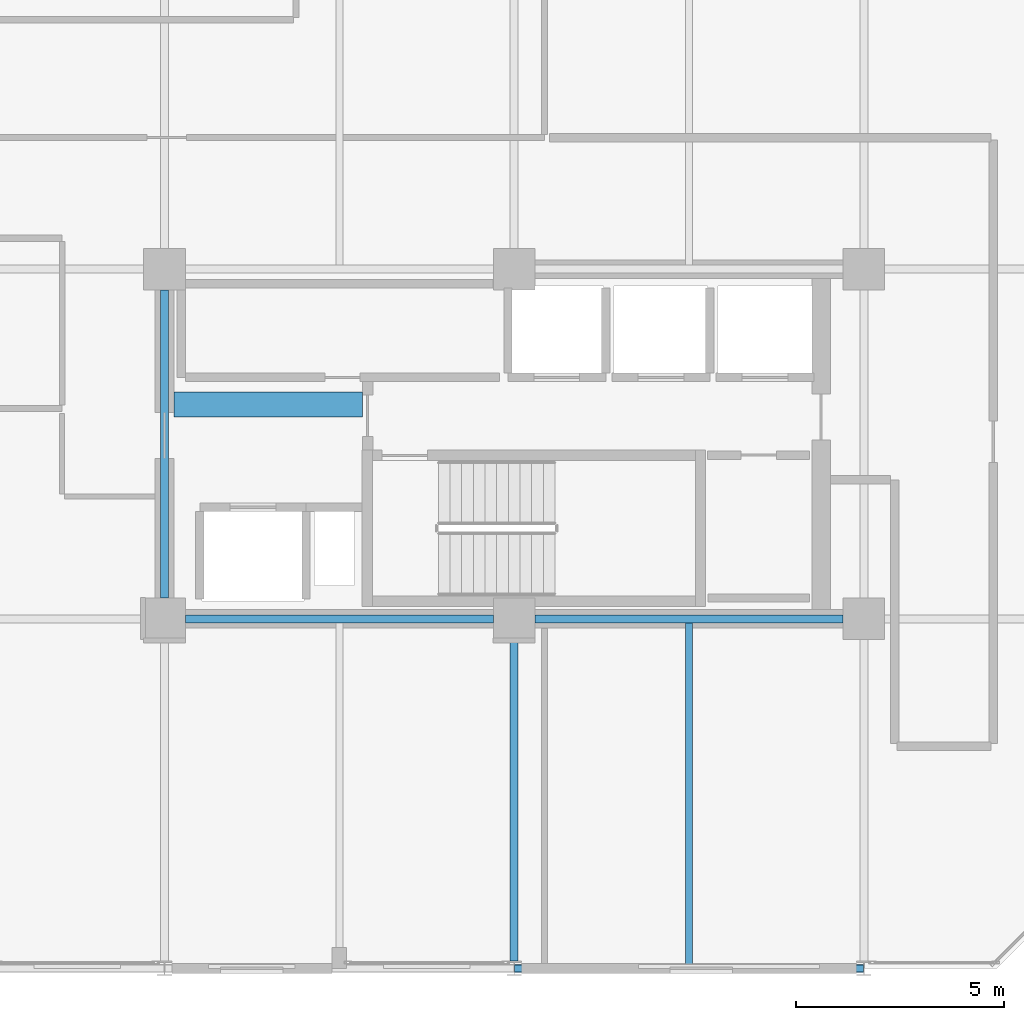
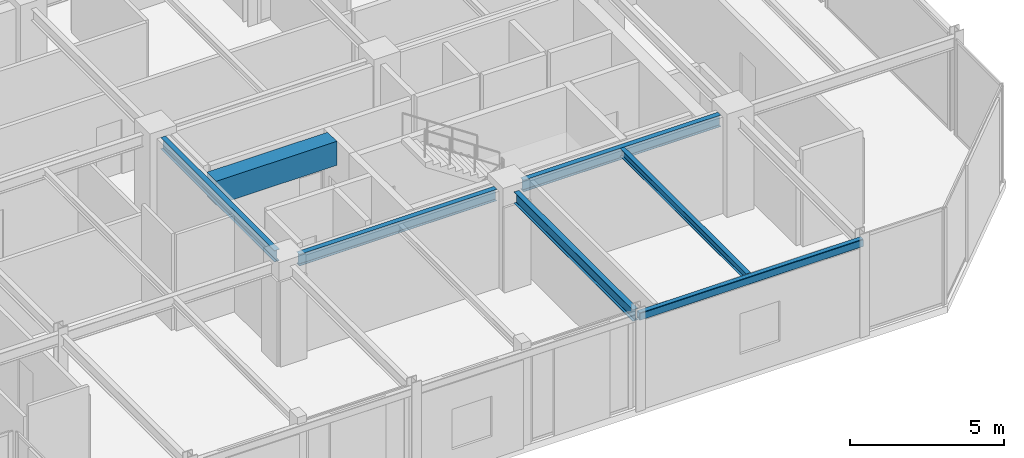
# One storey, part 7 of 25: 7 beams.
"""IFC4 building model written with IfcOpenShell, lengths in metres."""

from ifc_helpers import new_model, si_unit, direction, frame, origin, origin_2d, place, context, subcontext, project, spatial, rectangle, hollow_rectangle, i_section, extrude, material, material_profile, profile_set, type_object, element, save


model = new_model("IFC4")

# Units and contexts
model_context = context("Model", 3, precision=1e-05, world=origin(), true_north=direction((0.0, 1.0)))
body_context = subcontext(model_context, "Body", "Model", "MODEL_VIEW")
ifc_project = project(units=[si_unit("LENGTHUNIT", "METRE"), si_unit("AREAUNIT", "SQUARE_METRE"), si_unit("VOLUMEUNIT", "CUBIC_METRE"), si_unit("PLANEANGLEUNIT", "RADIAN"), si_unit("MASSUNIT", "GRAM", prefix="KILO")], contexts=[model_context])

# Site, building, storey
site_placement = place(None, origin())
site = spatial("IfcSite", under=ifc_project, at=site_placement, CompositionType="ELEMENT")
building_placement = place(site_placement, origin())
building = spatial("IfcBuilding", under=site, at=building_placement, Name="Nerrivon Quay Data Exchange", CompositionType="ELEMENT")
storey_placement = place(building_placement, frame((0.0, 0.0, 237.0)))
storey = spatial("IfcBuildingStorey", under=building, at=storey_placement, Name="L56", CompositionType="ELEMENT", Elevation=237.0)

# Beams
ifc_material_1 = material(Name="Concrete N50 (50 MPa)", Category="concrete")
ifc_material_profile_1 = material_profile(ifc_material_1, rectangle(XDim=0.60009765625, YDim=0.949951171875, at=origin_2d()), Name="RC-CB-600x950")
ifc_profile_set_1 = profile_set([ifc_material_profile_1], Name="Concrete N50 (50 MPa)")
beam_type_1 = type_object("IfcBeamType", Name="BM-CB2-600x950", PredefinedType="LINTEL", material=ifc_profile_set_1)
beam_1_placement = place(storey_placement, frame((17.02490234375, 13.550048828125, 3.35009765625), z_axis=(1.0, 0.0, 0.0), x_axis=(0.0, 1.0, 0.0)))
element("IfcBeam", 1, at=beam_1_placement, inside=storey, type_object=beam_type_1, Name="L56 East Core Coupling Beam", PredefinedType="LINTEL", context=body_context, shape_type="SweptSolid", body=[
    extrude(rectangle(XDim=0.60009765625, YDim=0.949951171875, at=origin_2d()), origin(), (0.0, 0.0, 1.0), 4.530029296875),
])
ifc_material_2 = material(Name="Steel Grade 350", Category="steel")
ifc_material_profile_2 = material_profile(ifc_material_2, i_section(OverallWidth=0.19091796875, OverallDepth=0.4599609375, WebThickness=0.010009765625, FlangeThickness=0.01611328125, FilletRadius=0.011474609375, at=origin_2d()), Name="460UB82.1")
ifc_profile_set_2 = profile_set([ifc_material_profile_2], Name="Steel Grade 350")
beam_type_2 = type_object("IfcBeamType", Name="BM-G5-460UB82", PredefinedType="BEAM", material=ifc_profile_set_2)
beam_2_placement = place(storey_placement, frame((17.300048828125, 8.39990234375, 3.594970703125), z_axis=(1.0, 0.0, 0.0), x_axis=(0.0, 1.0, 0.0)))
element("IfcBeam", 2, at=beam_2_placement, inside=storey, type_object=beam_type_2, Name="L56 EW Girder Y=8.4 (16.8..25.2)", PredefinedType="BEAM", context=body_context, shape_type="SweptSolid", body=[
    extrude(i_section(OverallWidth=0.19091796875, OverallDepth=0.4599609375, WebThickness=0.010009765625, FlangeThickness=0.01611328125, FilletRadius=0.011474609375, at=origin_2d()), origin(), (0.0, 0.0, 1.0), 7.39990234375),
])
beam_3_placement = place(storey_placement, frame((25.699951171875, 8.39990234375, 3.594970703125), z_axis=(1.0, 0.0, 0.0), x_axis=(0.0, 1.0, 0.0)))
element("IfcBeam", 3, at=beam_3_placement, inside=storey, type_object=beam_type_2, Name="L56 EW Girder Y=8.4 (25.2..33.6)", PredefinedType="BEAM", context=body_context, shape_type="SweptSolid", body=[
    extrude(i_section(OverallWidth=0.19091796875, OverallDepth=0.4599609375, WebThickness=0.010009765625, FlangeThickness=0.01611328125, FilletRadius=0.011474609375, at=origin_2d()), origin(), (0.0, 0.0, 1.0), 7.400146484375),
])
ifc_material_profile_3 = material_profile(ifc_material_2, i_section(OverallWidth=0.18994140625, OverallDepth=0.4541015625, WebThickness=0.008544921875, FlangeThickness=0.0126953125, FilletRadius=0.011474609375, at=origin_2d()), Name="460UB67.1")
ifc_profile_set_3 = profile_set([ifc_material_profile_3], Name="Steel Grade 350")
beam_type_3 = type_object("IfcBeamType", Name="BM-G6-460UB67", PredefinedType="BEAM", material=ifc_profile_set_3)
beam_4_placement = place(storey_placement, frame((16.800048828125, 8.89990234375, 3.597900390625), z_axis=(0.0, 1.0, 0.0), x_axis=(-1.0, 0.0, 0.0)))
element("IfcBeam", 4, at=beam_4_placement, inside=storey, type_object=beam_type_3, Name="L56 NS Girder X=16.8 (8.4..16.8)", PredefinedType="BEAM", context=body_context, shape_type="SweptSolid", body=[
    extrude(i_section(OverallWidth=0.18994140625, OverallDepth=0.4541015625, WebThickness=0.008544921875, FlangeThickness=0.0126953125, FilletRadius=0.011474609375, at=origin_2d()), origin(), (0.0, 0.0, 1.0), 7.400146484375),
])
beam_5_placement = place(storey_placement, frame((25.199951171875, 0.175048828125, 3.597900390625), z_axis=(0.0, 1.0, 0.0), x_axis=(-1.0, 0.0, 0.0)))
element("IfcBeam", 5, at=beam_5_placement, inside=storey, type_object=beam_type_3, Name="L56 NS Girder X=25.2 (0.0..8.4)", PredefinedType="BEAM", context=body_context, shape_type="SweptSolid", body=[
    extrude(i_section(OverallWidth=0.18994140625, OverallDepth=0.4541015625, WebThickness=0.008544921875, FlangeThickness=0.0126953125, FilletRadius=0.011474609375, at=origin_2d()), origin(), (0.0, 0.0, 1.0), 7.724853515625),
])
ifc_material_profile_4 = material_profile(ifc_material_2, i_section(OverallWidth=0.166015625, OverallDepth=0.306884765625, WebThickness=0.006591796875, FlangeThickness=0.01171875, FilletRadius=0.011474609375, at=origin_2d()), Name="310UB46.2")
ifc_profile_set_4 = profile_set([ifc_material_profile_4], Name="Steel Grade 350")
beam_type_4 = type_object("IfcBeamType", Name="BM-J5-310UB46", PredefinedType="JOIST", material=ifc_profile_set_4)
beam_6_placement = place(storey_placement, frame((29.39990234375, 0.10009765625, 3.67138671875), z_axis=(0.0, 1.0, 0.0), x_axis=(-1.0, 0.0, 0.0)))
element("IfcBeam", 6, at=beam_6_placement, inside=storey, type_object=beam_type_4, Name="L56 Secondary Joist X=29.4 (0.0..8.4)", PredefinedType="JOIST", context=body_context, shape_type="SweptSolid", body=[
    extrude(i_section(OverallWidth=0.166015625, OverallDepth=0.306884765625, WebThickness=0.006591796875, FlangeThickness=0.01171875, FilletRadius=0.011474609375, at=origin_2d()), origin(), (0.0, 0.0, 1.0), 8.204345703125),
])
ifc_material_3 = material(Name="Steel Grade C350L0 (350 MPa)", Category="steel")
ifc_material_profile_5 = material_profile(ifc_material_3, hollow_rectangle(XDim=0.199951171875, YDim=0.300048828125, WallThickness=0.012451171875, InnerFilletRadius=0.018798828125, OuterFilletRadius=0.03125, at=origin_2d()), Name="300x200x12.5RHS")
ifc_profile_set_5 = profile_set([ifc_material_profile_5], Name="Steel Grade C350L0 (350 MPa)")
beam_type_5 = type_object("IfcBeamType", Name="BM-SP3-300x200RHS", PredefinedType="SPANDREL", material=ifc_profile_set_5)
beam_7_placement = place(storey_placement, frame((25.2099609375, 0.0, 3.675048828125), z_axis=(1.0, 0.0, 0.0), x_axis=(0.0, 1.0, 0.0)))
element("IfcBeam", 7, at=beam_7_placement, inside=storey, type_object=beam_type_5, Name="L56 EW Girder Y=0.0 (25.2..33.6)", PredefinedType="SPANDREL", context=body_context, shape_type="SweptSolid", body=[
    extrude(hollow_rectangle(XDim=0.199951171875, YDim=0.300048828125, WallThickness=0.012451171875, InnerFilletRadius=0.018798828125, OuterFilletRadius=0.03125, at=origin_2d()), origin(), (0.0, 0.0, 1.0), 8.380126953125),
])

save(model, "model.ifc")
